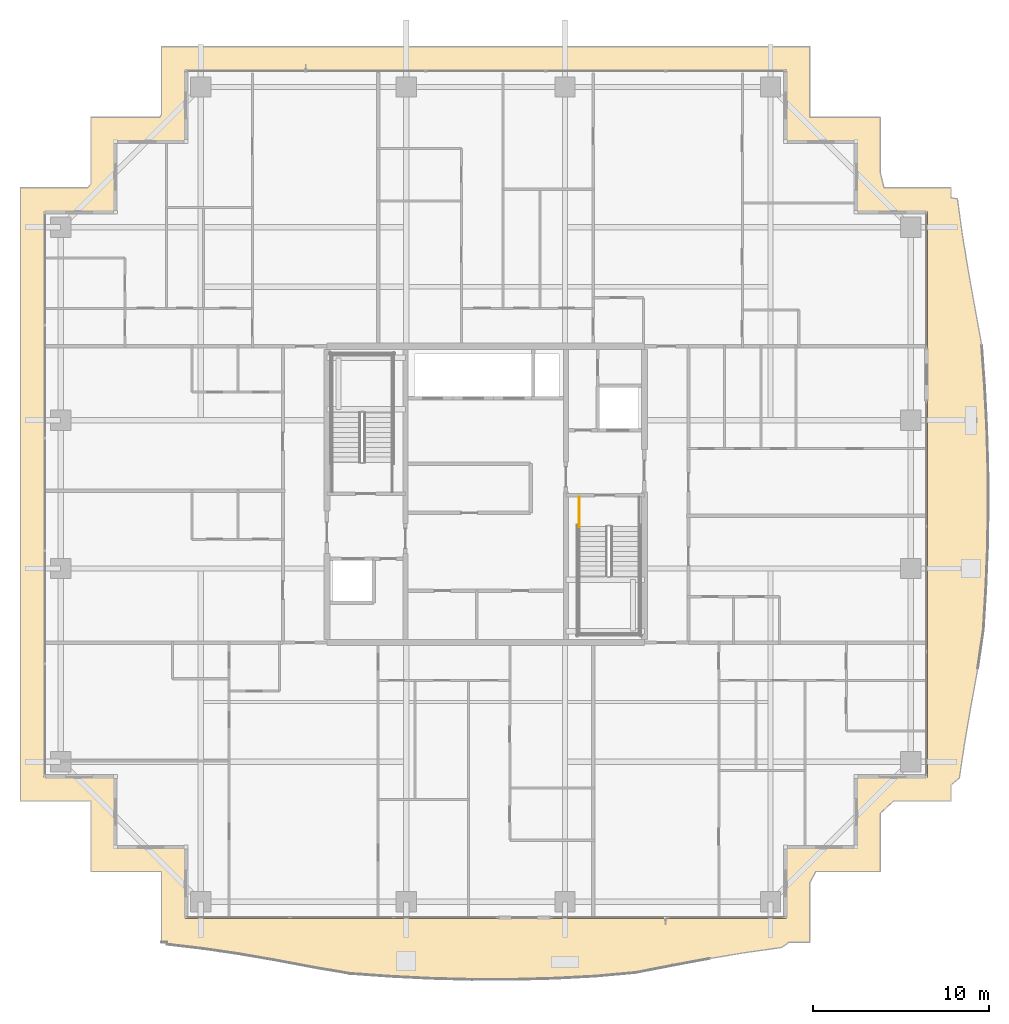
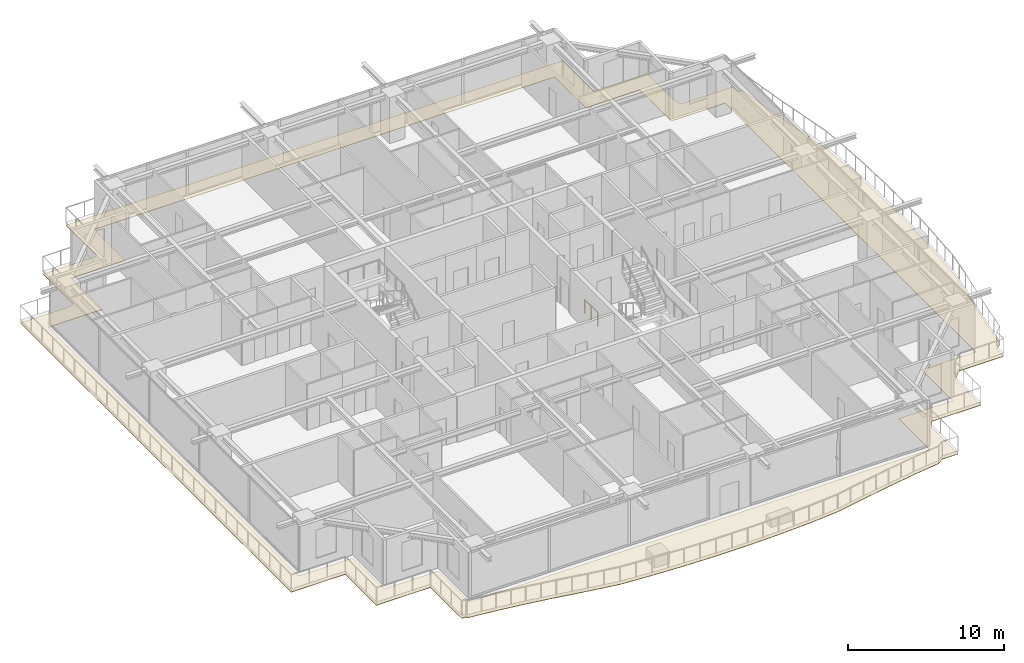
# One storey, part 36 of 38: 1 covering, 1 railing.
"""IFC4 building model written with IfcOpenShell, lengths in metres."""

from ifc_helpers import new_model, si_unit, direction, frame, origin, origin_2d, place, context, subcontext, project, spatial, polyline, circle, outline, extrude, material, layer, layer_set, type_object, element, save


model = new_model("IFC4")

# Units and contexts
model_context = context("Model", 3, precision=1e-05, world=origin(), true_north=direction((0.0, 1.0)))
body_context = subcontext(model_context, "Body", "Model", "MODEL_VIEW")
ifc_project = project(units=[si_unit("LENGTHUNIT", "METRE"), si_unit("AREAUNIT", "SQUARE_METRE"), si_unit("VOLUMEUNIT", "CUBIC_METRE"), si_unit("PLANEANGLEUNIT", "RADIAN"), si_unit("MASSUNIT", "GRAM", prefix="KILO")], contexts=[model_context])

# Site, building, storey
site_placement = place(None, origin())
site = spatial("IfcSite", under=ifc_project, at=site_placement, CompositionType="ELEMENT")
building_placement = place(site_placement, origin())
building = spatial("IfcBuilding", under=site, at=building_placement, Name="Serunith Strait Residences", CompositionType="ELEMENT")
storey_placement = place(building_placement, frame((0.0, 0.0, 229.699951171875)))
storey = spatial("IfcBuildingStorey", under=building, at=storey_placement, Name="L57", CompositionType="ELEMENT", Elevation=229.699951171875)

# Covering
ifc_material_1 = material(Name="Golden Teak Exterior Timber Boarding", Category="wood")
ifc_layer = layer(ifc_material_1, 0.034912109375, Name="Golden Teak Exterior Timber Boarding")
ifc_layer_set = layer_set([ifc_layer], Name="Golden Teak Exterior Timber Boarding")
covering_type = type_object("IfcCoveringType", Name="COV-TEAK-SOFFIT", PredefinedType="CEILING", material=ifc_layer_set)
covering_placement = place(storey_placement, frame((0.0, 0.0, -0.324951171875)))
element("IfcCovering", 1, at=covering_placement, inside=storey, type_object=covering_type, Name="L57 Golden-Teak Balcony Soffit Lining", PredefinedType="CEILING", context=body_context, shape_type="SweptSolid", body=[
    extrude(outline(polyline([(14.02001953125, -0.179931640625), (14.02001953125, 3.820068359375), (10.02001953125, 3.820068359375), (10.02001953125, 7.820068359375), (6.02001953125, 7.820068359375), (6.02001953125, 42.580078125), (9.824951171875, 42.580078125), (10.02001953125, 42.802001953125), (10.02001953125, 46.580078125), (13.9189453125, 46.580078125), (14.02001953125, 46.734619140625), (14.02001953125, 50.580078125), (50.780029296875, 50.580078125), (50.780029296875, 46.580078125), (54.780029296875, 46.580078125), (54.780029296875, 43.414306640625), (54.98291015625, 42.580078125), (58.780029296875, 42.580078125), (58.780029296875, 42.021240234375), (59.14404296875, 41.959716796875), (59.42578125, 39.92919921875), (59.759765625, 37.876708984375), (60.13525390625, 35.78564453125), (60.52783203125, 33.638427734375), (60.691162109375, 31.376953125), (60.810791015625, 29.082763671875), (60.882080078125, 26.7666015625), (60.897705078125, 24.440185546875), (60.856201171875, 22.1171875), (60.76123046875, 19.811279296875), (60.620849609375, 17.533203125), (60.30224609375, 15.34130859375), (59.9150390625, 13.23095703125), (59.56103515625, 11.166748046875), (59.25634765625, 9.131103515625), (58.780029296875, 8.728271484375), (58.780029296875, 7.820068359375), (55.514892578125, 7.820068359375), (54.780029296875, 7.134765625), (54.780029296875, 3.820068359375), (51.12109375, 3.820068359375), (50.780029296875, 3.201171875), (50.780029296875, -0.179931640625), (49.6083984375, -0.179931640625), (49.168212890625, -0.4873046875), (47.143798828125, -0.770751953125), (45.099365234375, -1.112548828125), (43.01611328125, -1.50244140625), (40.87353515625, -1.9150390625), (38.61328125, -2.119384765625), (36.306396484375, -2.239990234375), (33.975830078125, -2.30419921875), (31.635986328125, -2.305908203125), (29.302978515625, -2.2451171875), (26.9912109375, -2.128662109375), (24.7119140625, -1.967529296875), (22.537353515625, -1.596435546875), (20.43798828125, -1.19921875), (18.38232421875, -0.845458984375), (16.351806640625, -0.548583984375), (14.330810546875, -0.309326171875), (14.331787109375, -0.179931640625), (14.02001953125, -0.179931640625)]), holes=[polyline([(49.455078125, 1.14501953125), (49.455078125, 5.14501953125), (53.455078125, 5.14501953125), (53.455078125, 9.14501953125), (57.455078125, 9.14501953125), (57.455078125, 41.2548828125), (53.455078125, 41.2548828125), (53.455078125, 45.2548828125), (49.455078125, 45.2548828125), (49.455078125, 49.2548828125), (15.344970703125, 49.2548828125), (15.344970703125, 45.2548828125), (11.344970703125, 45.2548828125), (11.344970703125, 41.2548828125), (7.344970703125, 41.2548828125), (7.344970703125, 9.14501953125), (11.344970703125, 9.14501953125), (11.344970703125, 5.14501953125), (15.344970703125, 5.14501953125), (15.344970703125, 1.14501953125), (49.455078125, 1.14501953125)])]), origin(), (0.0, 0.0, 1.0), 0.034912109375),
])

# Railing
ifc_material_2 = material(Name="Brushed stainless steel 316L", Category="steel")
railing_type = type_object("IfcRailingType", Name="RLG-STAIR-GUARD", PredefinedType="BALUSTRADE", material=ifc_material_2)
railing_placement = place(storey_placement, frame((37.699951171875, 25.050048828125, 0.0)))
element("IfcRailing", 2, at=railing_placement, inside=storey, type_object=railing_type, Name="L57 ST-2 stair guard 8", PredefinedType="BALUSTRADE", context=body_context, shape_type="SweptSolid", body=[
    extrude(circle(Radius=0.02392578125, at=origin_2d()), frame((0.0, -0.001953125, 1.076171875), z_axis=(0.0, -1.0, 0.0), x_axis=(1.0, 0.0, 0.0)), (0.0, 0.0, 1.0), 1.676025390625),
    extrude(circle(Radius=0.02099609375, at=origin_2d()), origin(), (0.0, 0.0, 1.0), 1.050048828125),
    extrude(circle(Radius=0.02099609375, at=origin_2d()), frame((0.0, -0.83984375, 0.0)), (0.0, 0.0, 1.0), 1.050048828125),
    extrude(circle(Radius=0.02099609375, at=origin_2d()), frame((0.0, -1.679931640625, 0.0)), (0.0, 0.0, 1.0), 1.050048828125),
])

save(model, "model.ifc")
